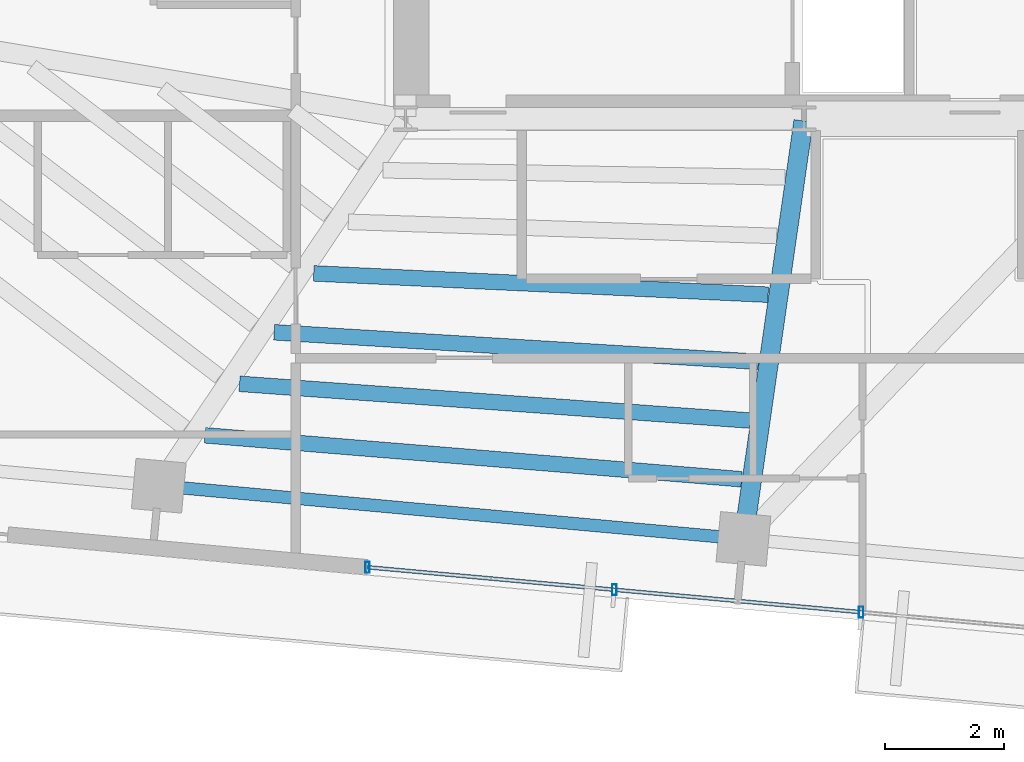
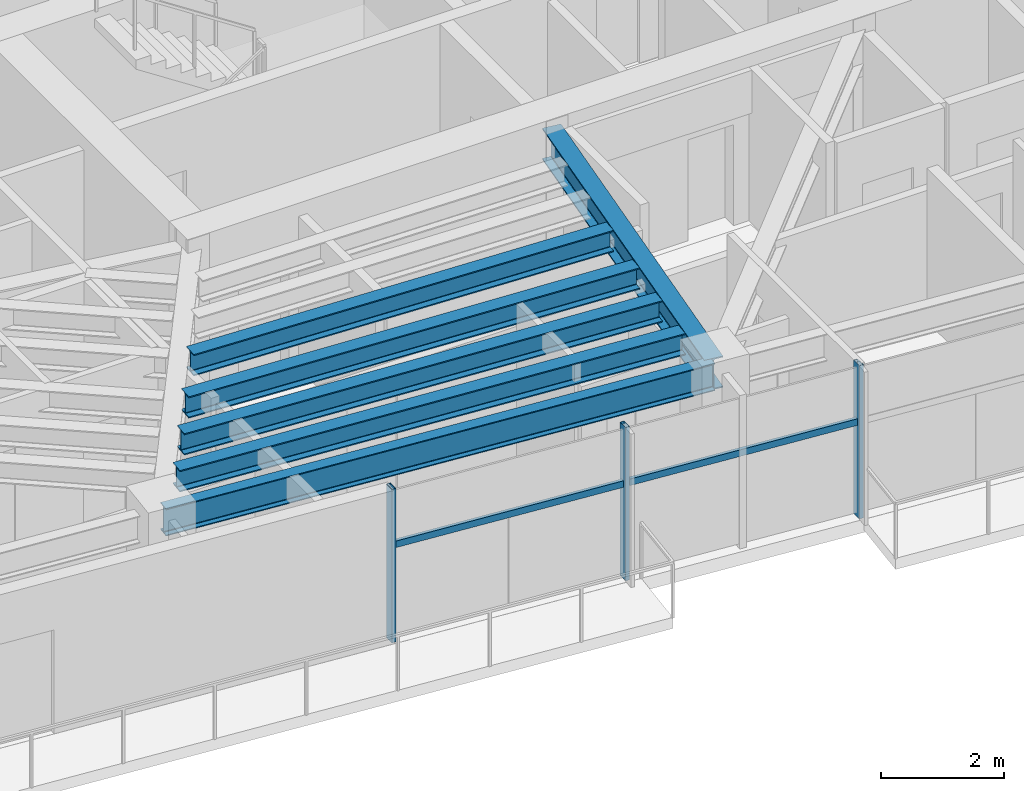
# One storey, part 6 of 22: 6 beams, 5 members, 1 element without a shape of its own.
"""IFC4 building model written with IfcOpenShell, lengths in metres."""

from ifc_helpers import new_model, si_unit, direction, frame, origin, origin_2d, place, context, subcontext, project, spatial, hollow_rectangle, i_section, extrude, source, transform, mapped, material, material_profile, profile_set, type_object, type_shapes, element, aggregate, save


model = new_model("IFC4")

# Units and contexts
model_context = context("Model", 3, precision=1e-05, world=origin(), true_north=direction((0.0, 1.0)))
body_context = subcontext(model_context, "Body", "Model", "MODEL_VIEW")
ifc_project = project(units=[si_unit("LENGTHUNIT", "METRE"), si_unit("AREAUNIT", "SQUARE_METRE"), si_unit("VOLUMEUNIT", "CUBIC_METRE"), si_unit("PLANEANGLEUNIT", "RADIAN"), si_unit("MASSUNIT", "GRAM", prefix="KILO")], contexts=[model_context])

# Site, building, storey
site_placement = place(None, origin())
site = spatial("IfcSite", under=ifc_project, at=site_placement, CompositionType="ELEMENT")
building_placement = place(site_placement, origin())
building = spatial("IfcBuilding", under=site, at=building_placement, Name="Astriad Promenade Condominiums", CompositionType="ELEMENT")
storey_placement = place(building_placement, frame((0.0, 0.0, 223.199951171875)))
storey = spatial("IfcBuildingStorey", under=building, at=storey_placement, Name="L64", CompositionType="ELEMENT", Elevation=223.199951171875)

# Beams
ifc_material_1 = material(Name="Steel ASTM A992 Grade 50", Category="steel")
ifc_material_profile_1 = material_profile(ifc_material_1, i_section(OverallWidth=0.210693359375, OverallDepth=0.53955078125, WebThickness=0.01171875, FlangeThickness=0.018798828125, FilletRadius=0.0166015625, at=origin_2d()), Name="W21X73")
ifc_profile_set_1 = profile_set([ifc_material_profile_1], Name="Steel ASTM A992 Grade 50")
beam_type_1 = type_object("IfcBeamType", Name="STEEL SPANDREL BEAM W21X73", PredefinedType="SPANDREL", material=ifc_profile_set_1)
shared_shape_1 = source(origin(), body_context, "Body", "SweptSolid", [
    extrude(i_section(OverallWidth=0.210693359375, OverallDepth=0.53955078125, WebThickness=0.01171875, FlangeThickness=0.018798828125, FilletRadius=0.0166015625, at=origin_2d()), origin(), (0.0, 0.0, 1.0), 9.81982421875),
])
type_shapes(beam_type_1, [shared_shape_1])
beam_1_placement = place(storey_placement, frame((22.281005859375, 11.205322265625, 2.770263671875), z_axis=(0.995885459014, -0.090620927631, 0.0), x_axis=(0.090620927631, 0.995885459014, 0.0)))
element("IfcBeam", 1, at=beam_1_placement, inside=storey, type_object=beam_type_1, Name="Perimeter Spandrel Beam SP-S2-L64", PredefinedType="SPANDREL", context=body_context, shape_type="MappedRepresentation", body=[
    mapped(shared_shape_1, transform((0.0, 0.0, 0.0), scale=1.0)),
])
ifc_material_profile_2 = material_profile(ifc_material_1, i_section(OverallWidth=0.326416015625, OverallDepth=0.621826171875, WebThickness=0.015380859375, FlangeThickness=0.0244140625, FilletRadius=0.017822265625, at=origin_2d()), Name="W24X131")
ifc_profile_set_2 = profile_set([ifc_material_profile_2], Name="Steel ASTM A992 Grade 50")
beam_type_2 = type_object("IfcBeamType", Name="STEEL FLOOR GIRDER W24X131", PredefinedType="BEAM", material=ifc_profile_set_2)
shared_shape_2 = source(origin(), body_context, "Body", "SweptSolid", [
    extrude(i_section(OverallWidth=0.326416015625, OverallDepth=0.621826171875, WebThickness=0.015380859375, FlangeThickness=0.0244140625, FilletRadius=0.017822265625, at=origin_2d()), origin(), (0.0, 0.0, 1.0), 7.081298828125),
])
type_shapes(beam_type_2, [shared_shape_2])
beam_2_placement = place(storey_placement, frame((32.10595703125, 10.351318359375, 2.729248046875), z_axis=(0.142391481124, 0.989810419274, 0.0), x_axis=(-0.989810419274, 0.142391481124, 0.0)))
element("IfcBeam", 2, at=beam_2_placement, inside=storey, type_object=beam_type_2, Name="Primary Floor Girder PG-C1-L64", PredefinedType="BEAM", context=body_context, shape_type="MappedRepresentation", body=[
    mapped(shared_shape_2, transform((0.0, 0.0, 0.0), scale=1.0)),
])
ifc_material_profile_3 = material_profile(ifc_material_1, i_section(OverallWidth=0.26318359375, OverallDepth=0.425537109375, WebThickness=0.01318359375, FlangeThickness=0.022216796875, FilletRadius=0.013916015625, at=origin_2d()), Name="W16X89")
ifc_profile_set_3 = profile_set([ifc_material_profile_3], Name="Steel ASTM A992 Grade 50")
beam_type_3 = type_object("IfcBeamType", Name="STEEL FLOOR JOIST W16X89", PredefinedType="JOIST", material=ifc_profile_set_3)
shared_shape_3 = source(origin(), body_context, "Body", "SweptSolid", [
    extrude(i_section(OverallWidth=0.26318359375, OverallDepth=0.425537109375, WebThickness=0.01318359375, FlangeThickness=0.022216796875, FilletRadius=0.013916015625, at=origin_2d()), origin(), (0.0, 0.0, 1.0), 9.08056640625),
])
beam_3_placement = place(storey_placement, frame((23.019775390625, 12.059814453125, 2.827392578125), z_axis=(0.996660857814, -0.081652522934, 0.0), x_axis=(0.081652522934, 0.996660857814, 0.0)))
element("IfcBeam", 3, at=beam_3_placement, inside=storey, type_object=beam_type_3, Name="Secondary Composite Floor Joist JCW-1-L64", PredefinedType="JOIST", context=body_context, shape_type="MappedRepresentation", body=[
    mapped(shared_shape_3, transform((0.0, 0.0, 0.0), scale=1.0)),
])
shared_shape_4 = source(origin(), body_context, "Body", "SweptSolid", [
    extrude(i_section(OverallWidth=0.26318359375, OverallDepth=0.425537109375, WebThickness=0.01318359375, FlangeThickness=0.022216796875, FilletRadius=0.013916015625, at=origin_2d()), origin(), (0.0, 0.0, 1.0), 8.631591796875),
])
beam_4_placement = place(storey_placement, frame((23.603271484375, 12.92822265625, 2.827392578125), z_axis=(0.997424124914, -0.071729457259, 0.0), x_axis=(0.071729457259, 0.997424124914, 0.0)))
element("IfcBeam", 4, at=beam_4_placement, inside=storey, type_object=beam_type_3, Name="Secondary Composite Floor Joist JCW-2-L64", PredefinedType="JOIST", context=body_context, shape_type="MappedRepresentation", body=[
    mapped(shared_shape_4, transform((0.0, 0.0, 0.0), scale=1.0)),
])
shared_shape_5 = source(origin(), body_context, "Body", "SweptSolid", [
    extrude(i_section(OverallWidth=0.26318359375, OverallDepth=0.425537109375, WebThickness=0.01318359375, FlangeThickness=0.022216796875, FilletRadius=0.013916015625, at=origin_2d()), origin(), (0.0, 0.0, 1.0), 8.183349609375),
])
beam_5_placement = place(storey_placement, frame((24.186767578125, 13.797119140625, 2.827392578125), z_axis=(0.998148077796, -0.06083103478, 0.0), x_axis=(0.06083103478, 0.998148077796, 0.0)))
element("IfcBeam", 5, at=beam_5_placement, inside=storey, type_object=beam_type_3, Name="Secondary Composite Floor Joist JCW-3-L64", PredefinedType="JOIST", context=body_context, shape_type="MappedRepresentation", body=[
    mapped(shared_shape_5, transform((0.0, 0.0, 0.0), scale=1.0)),
])
shared_shape_6 = source(origin(), body_context, "Body", "SweptSolid", [
    extrude(i_section(OverallWidth=0.26318359375, OverallDepth=0.425537109375, WebThickness=0.01318359375, FlangeThickness=0.022216796875, FilletRadius=0.013916015625, at=origin_2d()), origin(), (0.0, 0.0, 1.0), 7.672119140625),
])
type_shapes(beam_type_3, [shared_shape_3, shared_shape_4, shared_shape_5, shared_shape_6])
beam_6_placement = place(storey_placement, frame((24.85400390625, 14.790283203125, 2.827392578125), z_axis=(0.998903848677, -0.04680919886, 0.0), x_axis=(0.04680919886, 0.998903848677, 0.0)))
element("IfcBeam", 6, at=beam_6_placement, inside=storey, type_object=beam_type_3, Name="Secondary Composite Floor Joist JCW-4-L64", PredefinedType="JOIST", context=body_context, shape_type="MappedRepresentation", body=[
    mapped(shared_shape_6, transform((0.0, 0.0, 0.0), scale=1.0)),
])

# Curtain wall, members
ifc_material_2 = material(Name="Anodised aluminium Black Dark Glass Unitised", Category="aluminium")
curtain_wall_type = type_object("IfcCurtainWallType", Name="CW-B5-DARK", PredefinedType="USERDEFINED", material=ifc_material_2)
curtain_wall_placement = place(storey_placement, origin())
curtain_wall = element("IfcCurtainWall", 7, at=curtain_wall_placement, inside=storey, type_object=curtain_wall_type, Name="CW-L64-S", ObjectType="UNITISED_CURTAIN_WALL", PredefinedType="USERDEFINED")
ifc_material_3 = material(Name="Anodised aluminium 6063-T6 Black", Category="aluminium")
ifc_material_profile_4 = material_profile(ifc_material_3, hollow_rectangle(XDim=0.06494140625, YDim=0.1298828125, WallThickness=0.00390625, at=origin_2d()), Name="ALU-TRN-65X130")
ifc_profile_set_4 = profile_set([ifc_material_profile_4], Name="Anodised aluminium 6063-T6 Black")
member_type_1 = type_object("IfcMemberType", Name="TRN-ALU-TRN-65X130", PredefinedType="USERDEFINED", material=ifc_profile_set_4)
shared_shape_7 = source(origin(), body_context, "Body", "SweptSolid", [
    extrude(hollow_rectangle(XDim=0.06494140625, YDim=0.1298828125, WallThickness=0.00390625, at=origin_2d()), origin(), (0.0, 0.0, 1.0), 4.179931640625),
])
type_shapes(member_type_1, [shared_shape_7])
member_1_placement = place(storey_placement, frame((34.086669921875, 9.07666015625, 1.884765625), z_axis=(-0.995883146811, 0.090646334165, 0.0), x_axis=(-0.090646334165, -0.995883146811, 0.0)))
member_1 = element("IfcMember", 8, at=member_1_placement, type_object=member_type_1, Name="CW-L64-S-TRN-01-0", ObjectType="TRANSOM", PredefinedType="USERDEFINED", context=body_context, shape_type="MappedRepresentation", body=[
    mapped(shared_shape_7, transform((0.0, 0.0, 0.0), scale=1.0)),
])
member_2_placement = place(storey_placement, frame((29.923828125, 9.45556640625, 1.884765625), z_axis=(-0.995883146811, 0.090646334165, 0.0), x_axis=(-0.090646334165, -0.995883146811, 0.0)))
member_2 = element("IfcMember", 9, at=member_2_placement, type_object=member_type_1, Name="CW-L64-S-TRN-02-0", ObjectType="TRANSOM", PredefinedType="USERDEFINED", context=body_context, shape_type="MappedRepresentation", body=[
    mapped(shared_shape_7, transform((0.0, 0.0, 0.0), scale=1.0)),
])
ifc_material_profile_5 = material_profile(ifc_material_3, hollow_rectangle(XDim=0.074951171875, YDim=0.18505859375, WallThickness=0.00439453125, at=origin_2d()), Name="ALU-MUL-75X185")
ifc_profile_set_5 = profile_set([ifc_material_profile_5], Name="Anodised aluminium 6063-T6 Black")
member_type_2 = type_object("IfcMemberType", Name="MUL-ALU-MUL-75X185", PredefinedType="MULLION", material=ifc_profile_set_5)
shared_shape_8 = source(origin(), body_context, "Body", "SweptSolid", [
    extrude(hollow_rectangle(XDim=0.074951171875, YDim=0.18505859375, WallThickness=0.00439453125, at=origin_2d()), origin(), (0.0, 0.0, 1.0), 3.0400390625),
])
type_shapes(member_type_2, [shared_shape_8])
member_3_placement = place(storey_placement, frame((34.086669921875, 9.07666015625, 0.0), z_axis=(0.0, 0.0, 1.0), x_axis=(1.0, 0.0, 0.0)))
member_3 = element("IfcMember", 10, at=member_3_placement, type_object=member_type_2, Name="CW-L64-S-MUL-01", PredefinedType="MULLION", context=body_context, shape_type="MappedRepresentation", body=[
    mapped(shared_shape_8, transform((0.0, 0.0, 0.0), scale=1.0)),
])
member_4_placement = place(storey_placement, frame((29.923828125, 9.45556640625, 0.0), z_axis=(0.0, 0.0, 1.0), x_axis=(1.0, 0.0, 0.0)))
member_4 = element("IfcMember", 11, at=member_4_placement, type_object=member_type_2, Name="CW-L64-S-MUL-02", PredefinedType="MULLION", context=body_context, shape_type="MappedRepresentation", body=[
    mapped(shared_shape_8, transform((0.0, 0.0, 0.0), scale=1.0)),
])
member_5_placement = place(storey_placement, frame((25.760986328125, 9.83447265625, 0.0), z_axis=(0.0, 0.0, 1.0), x_axis=(1.0, 0.0, 0.0)))
member_5 = element("IfcMember", 12, at=member_5_placement, type_object=member_type_2, Name="CW-L64-S-MUL-03", PredefinedType="MULLION", context=body_context, shape_type="MappedRepresentation", body=[
    mapped(shared_shape_8, transform((0.0, 0.0, 0.0), scale=1.0)),
])
aggregate(curtain_wall, [member_3, member_4, member_5, member_1, member_2])

save(model, "model.ifc")
